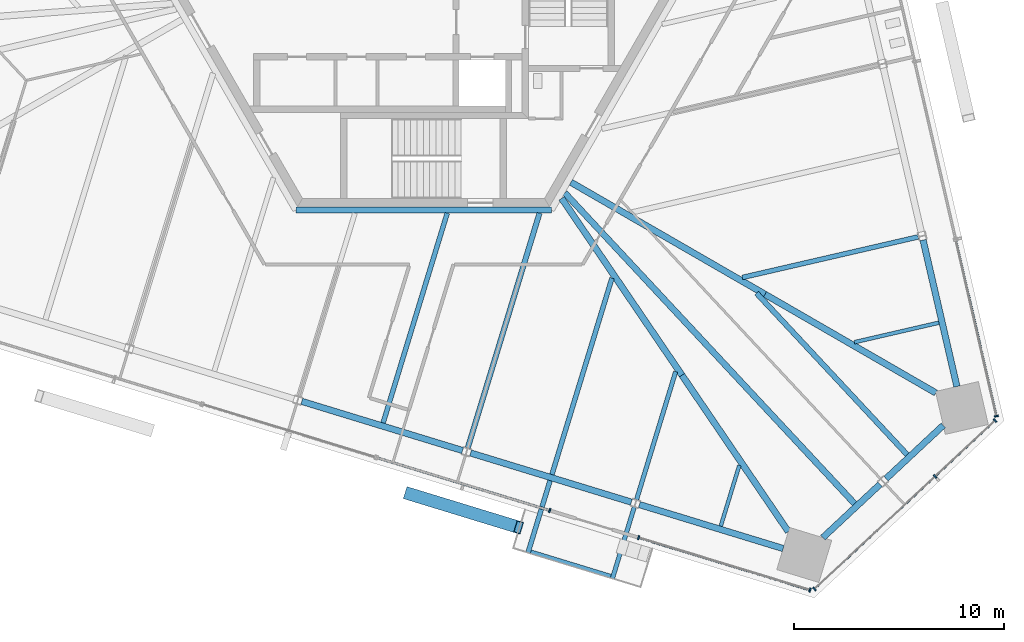
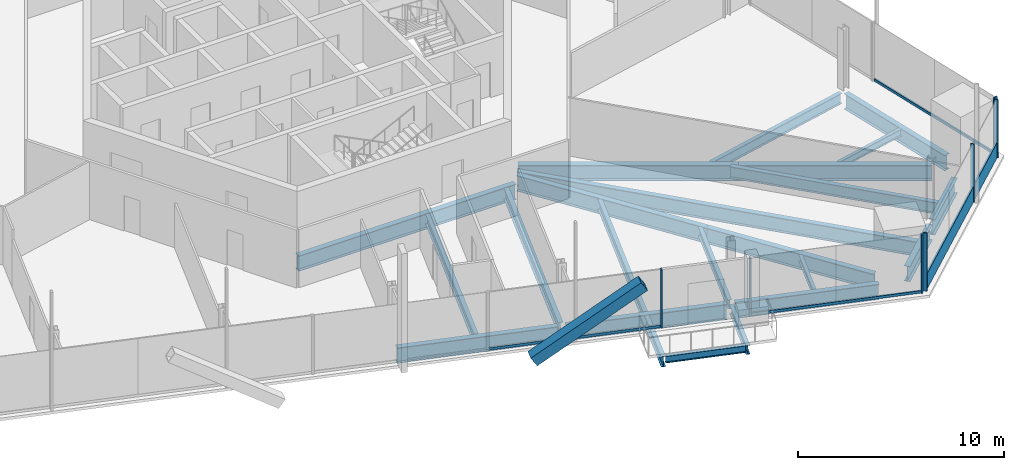
# One storey, part 5 of 21: 23 beams, 13 members, 4 elements without a shape of their own.
"""IFC4 building model written with IfcOpenShell, lengths in metres."""

from ifc_helpers import new_model, si_unit, direction, frame, origin, origin_2d, place, context, subcontext, project, spatial, rectangle, hollow_rectangle, i_section, extrude, source, transform, mapped, material, material_profile, profile_set, type_object, element, aggregate, save


model = new_model("IFC4")

# Units and contexts
model_context = context("Model", 3, precision=1e-05, world=origin(), true_north=direction((0.0, 1.0)))
body_context = subcontext(model_context, "Body", "Model", "MODEL_VIEW")
ifc_project = project(units=[si_unit("LENGTHUNIT", "METRE"), si_unit("AREAUNIT", "SQUARE_METRE"), si_unit("VOLUMEUNIT", "CUBIC_METRE"), si_unit("PLANEANGLEUNIT", "RADIAN"), si_unit("MASSUNIT", "GRAM", prefix="KILO")], contexts=[model_context])

# Site, building, storey
site_placement = place(None, origin())
site = spatial("IfcSite", under=ifc_project, at=site_placement, CompositionType="ELEMENT")
building_placement = place(site_placement, origin())
building = spatial("IfcBuilding", under=site, at=building_placement, Name="Triune Harvest Tower", CompositionType="ELEMENT")
storey_placement = place(building_placement, frame((0.0, 0.0, 119.89990234375)))
storey = spatial("IfcBuildingStorey", under=building, at=storey_placement, Name="L30", CompositionType="ELEMENT", Elevation=119.89990234375)

# Beams
ifc_material_1 = material(Name="Steel ASTM A992 Gr 50", Category="steel")
ifc_material_profile_1 = material_profile(ifc_material_1, i_section(OverallWidth=0.180908203125, OverallDepth=0.41650390625, WebThickness=0.010986328125, FlangeThickness=0.01806640625, at=origin_2d()), Name="W16x57")
ifc_profile_set_1 = profile_set([ifc_material_profile_1], Name="Steel ASTM A992 Gr 50")
beam_type_1 = type_object("IfcBeamType", Name="BE-1 balcony edge beam W16x57", PredefinedType="BEAM", material=ifc_profile_set_1)
beam_1_placement = place(storey_placement, frame((5.114501953125, -26.8330078125, -0.3681640625), z_axis=(0.956308308303, -0.29236008529, 0.0), x_axis=(0.29236008529, 0.956308308303, 0.0)))
element("IfcBeam", 1, at=beam_1_placement, inside=storey, type_object=beam_type_1, Name="Balcony edge beam B3-F5 L30.10", PredefinedType="BEAM", context=body_context, shape_type="SweptSolid", body=[
    extrude(i_section(OverallWidth=0.180908203125, OverallDepth=0.41650390625, WebThickness=0.010986328125, FlangeThickness=0.01806640625, at=origin_2d()), origin(), (0.0, 0.0, 1.0), 3.987548828125),
])
ifc_material_2 = material(Name="Steel ASTM A992 Gr 50", Category="steel")
ifc_material_profile_2 = material_profile(ifc_material_2, i_section(OverallWidth=0.3046875, OverallDepth=0.914306640625, WebThickness=0.0166015625, FlangeThickness=0.02587890625, at=origin_2d()), Name="W36x160")
ifc_profile_set_2 = profile_set([ifc_material_profile_2], Name="Steel ASTM A992 Gr 50")
beam_type_2 = type_object("IfcBeamType", Name="CG-1 Core ring girder W36x160", PredefinedType="BEAM", material=ifc_profile_set_2)
shared_shape_1 = source(origin(), body_context, "Body", "SweptSolid", [
    extrude(i_section(OverallWidth=0.3046875, OverallDepth=0.914306640625, WebThickness=0.0166015625, FlangeThickness=0.02587890625, at=origin_2d()), origin(), (0.0, 0.0, 1.0), 12.17578125),
])
beam_2_placement = place(storey_placement, frame((-6.087890625, -10.544677734375, -0.6171875), z_axis=(1.0, 0.0, 0.0), x_axis=(0.0, 1.0, 0.0)))
element("IfcBeam", 2, at=beam_2_placement, inside=storey, type_object=beam_type_2, Name="beam/L30/CG5", PredefinedType="BEAM", context=body_context, shape_type="MappedRepresentation", body=[
    mapped(shared_shape_1, transform((0.0, 0.0, 0.0), scale=1.0)),
])
ifc_material_3 = material(Name="Steel ASTM A992 Gr 50", Category="steel")
ifc_material_profile_3 = material_profile(ifc_material_3, i_section(OverallWidth=0.307373046875, OverallDepth=0.922119140625, WebThickness=0.018310546875, FlangeThickness=0.030029296875, at=origin_2d()), Name="W36x182")
ifc_profile_set_3 = profile_set([ifc_material_profile_3], Name="Steel ASTM A992 Gr 50")
beam_type_3 = type_object("IfcBeamType", Name="HG-2 Hip girder W36x182", PredefinedType="BEAM", material=ifc_profile_set_3)
shared_shape_2 = source(origin(), body_context, "Body", "SweptSolid", [
    extrude(i_section(OverallWidth=0.307373046875, OverallDepth=0.922119140625, WebThickness=0.018310546875, FlangeThickness=0.030029296875, at=origin_2d()), origin(), (0.0, 0.0, 1.0), 10.681640625),
])
beam_3_placement = place(storey_placement, frame((16.27587890625, -14.56640625, -0.620849609375), z_axis=(-0.866023441189, 0.500003399299, 0.0), x_axis=(-0.500003399299, -0.866023441189, 0.0)))
element("IfcBeam", 3, at=beam_3_placement, inside=storey, type_object=beam_type_3, Name="beam/L30/HG2", PredefinedType="BEAM", context=body_context, shape_type="MappedRepresentation", body=[
    mapped(shared_shape_2, transform((0.0, 0.0, 0.0), scale=1.0)),
])
shared_shape_3 = source(origin(), body_context, "Body", "SweptSolid", [
    extrude(i_section(OverallWidth=0.307373046875, OverallDepth=0.922119140625, WebThickness=0.018310546875, FlangeThickness=0.030029296875, at=origin_2d()), origin(), (0.0, 0.0, 1.0), 10.194091796875),
])
beam_4_placement = place(storey_placement, frame((12.31640625, -18.4208984375, -0.620849609375), z_axis=(-0.562397141719, 0.826867253545, 0.0), x_axis=(-0.826867253545, -0.562397141719, 0.0)))
element("IfcBeam", 4, at=beam_4_placement, inside=storey, type_object=beam_type_3, Name="beam/L30/HG8", PredefinedType="BEAM", context=body_context, shape_type="MappedRepresentation", body=[
    mapped(shared_shape_3, transform((0.0, 0.0, 0.0), scale=1.0)),
])
ifc_material_4 = material(Name="Steel ASTM A992 Gr 50", Category="steel")
ifc_material_profile_4 = material_profile(ifc_material_4, i_section(OverallWidth=0.3046875, OverallDepth=0.914306640625, WebThickness=0.0166015625, FlangeThickness=0.02587890625, at=origin_2d()), Name="W36x160")
ifc_profile_set_4 = profile_set([ifc_material_profile_4], Name="Steel ASTM A992 Gr 50")
beam_type_4 = type_object("IfcBeamType", Name="SB-1 Spandrel beam W36x160", PredefinedType="SPANDREL", material=ifc_profile_set_4)
shared_shape_4 = source(origin(), body_context, "Body", "SweptSolid", [
    extrude(i_section(OverallWidth=0.3046875, OverallDepth=0.914306640625, WebThickness=0.0166015625, FlangeThickness=0.02587890625, at=origin_2d()), origin(), (0.0, 0.0, 1.0), 7.166259765625),
])
beam_5_placement = place(storey_placement, frame((25.42236328125, -18.96044921875, -0.6171875), z_axis=(-0.224949077026, 0.974370521283, 0.0), x_axis=(-0.974370521283, -0.224949077026, 0.0)))
element("IfcBeam", 5, at=beam_5_placement, inside=storey, type_object=beam_type_4, Name="beam/L30/SB1", PredefinedType="SPANDREL", context=body_context, shape_type="MappedRepresentation", body=[
    mapped(shared_shape_4, transform((0.0, 0.0, 0.0), scale=1.0)),
])
shared_shape_5 = source(origin(), body_context, "Body", "SweptSolid", [
    extrude(i_section(OverallWidth=0.3046875, OverallDepth=0.914306640625, WebThickness=0.0166015625, FlangeThickness=0.02587890625, at=origin_2d()), origin(), (0.0, 0.0, 1.0), 8.018310546875),
])
beam_6_placement = place(storey_placement, frame((-5.805908203125, -19.66748046875, -0.6171875), z_axis=(0.956308069579, -0.292360866152, 0.0), x_axis=(0.292360866152, 0.956308069579, 0.0)))
element("IfcBeam", 6, at=beam_6_placement, inside=storey, type_object=beam_type_4, Name="beam/L30/SB20", PredefinedType="SPANDREL", context=body_context, shape_type="MappedRepresentation", body=[
    mapped(shared_shape_5, transform((0.0, 0.0, 0.0), scale=1.0)),
])
shared_shape_6 = source(origin(), body_context, "Body", "SweptSolid", [
    extrude(i_section(OverallWidth=0.3046875, OverallDepth=0.914306640625, WebThickness=0.0166015625, FlangeThickness=0.02587890625, at=origin_2d()), origin(), (0.0, 0.0, 1.0), 8.01806640625),
])
beam_7_placement = place(storey_placement, frame((2.240966796875, -22.127685546875, -0.6171875), z_axis=(0.956305466934, -0.292369379231, 0.0), x_axis=(0.292369379231, 0.956305466934, 0.0)))
element("IfcBeam", 7, at=beam_7_placement, inside=storey, type_object=beam_type_4, Name="beam/L30/SB21", PredefinedType="SPANDREL", context=body_context, shape_type="MappedRepresentation", body=[
    mapped(shared_shape_6, transform((0.0, 0.0, 0.0), scale=1.0)),
])
shared_shape_7 = source(origin(), body_context, "Body", "SweptSolid", [
    extrude(i_section(OverallWidth=0.3046875, OverallDepth=0.914306640625, WebThickness=0.0166015625, FlangeThickness=0.02587890625, at=origin_2d()), origin(), (0.0, 0.0, 1.0), 7.16650390625),
])
beam_8_placement = place(storey_placement, frame((10.287841796875, -24.587646484375, -0.6171875), z_axis=(0.956296811344, -0.292397689137, 0.0), x_axis=(0.292397689137, 0.956296811344, 0.0)))
element("IfcBeam", 8, at=beam_8_placement, inside=storey, type_object=beam_type_4, Name="beam/L30/SB22", PredefinedType="SPANDREL", context=body_context, shape_type="MappedRepresentation", body=[
    mapped(shared_shape_7, transform((0.0, 0.0, 0.0), scale=1.0)),
])
shared_shape_8 = source(origin(), body_context, "Body", "SweptSolid", [
    extrude(i_section(OverallWidth=0.3046875, OverallDepth=0.914306640625, WebThickness=0.0166015625, FlangeThickness=0.02587890625, at=origin_2d()), origin(), (0.0, 0.0, 1.0), 3.72607421875),
])
beam_9_placement = place(storey_placement, frame((19.03173828125, -26.1630859375, -0.6171875), z_axis=(0.731344988612, 0.682007703499, 0.0), x_axis=(-0.682007703499, 0.731344988612, 0.0)))
element("IfcBeam", 9, at=beam_9_placement, inside=storey, type_object=beam_type_4, Name="beam/L30/SB23", PredefinedType="SPANDREL", context=body_context, shape_type="MappedRepresentation", body=[
    mapped(shared_shape_8, transform((0.0, 0.0, 0.0), scale=1.0)),
])
shared_shape_9 = source(origin(), body_context, "Body", "SweptSolid", [
    extrude(i_section(OverallWidth=0.3046875, OverallDepth=0.914306640625, WebThickness=0.0166015625, FlangeThickness=0.02587890625, at=origin_2d()), origin(), (0.0, 0.0, 1.0), 3.726318359375),
])
beam_10_placement = place(storey_placement, frame((22.046630859375, -23.351806640625, -0.6171875), z_axis=(0.731375462482, 0.681975023647, 0.0), x_axis=(-0.681975023647, 0.731375462482, 0.0)))
element("IfcBeam", 10, at=beam_10_placement, inside=storey, type_object=beam_type_4, Name="beam/L30/SB24", PredefinedType="SPANDREL", context=body_context, shape_type="MappedRepresentation", body=[
    mapped(shared_shape_9, transform((0.0, 0.0, 0.0), scale=1.0)),
])
shared_shape_10 = source(origin(), body_context, "Body", "SweptSolid", [
    extrude(i_section(OverallWidth=0.307373046875, OverallDepth=0.922119140625, WebThickness=0.018310546875, FlangeThickness=0.030029296875, at=origin_2d()), origin(), (0.0, 0.0, 1.0), 9.3984375),
])
beam_11_placement = place(storey_placement, frame((24.415283203125, -19.265625, -0.620849609375), z_axis=(-0.866028560268, 0.49999453277, 0.0), x_axis=(-0.49999453277, -0.866028560268, 0.0)))
element("IfcBeam", 11, at=beam_11_placement, inside=storey, type_object=beam_type_3, Name="beam/L30/HG1", PredefinedType="BEAM", context=body_context, shape_type="MappedRepresentation", body=[
    mapped(shared_shape_10, transform((0.0, 0.0, 0.0), scale=1.0)),
])
shared_shape_11 = source(origin(), body_context, "Body", "SweptSolid", [
    extrude(i_section(OverallWidth=0.307373046875, OverallDepth=0.922119140625, WebThickness=0.018310546875, FlangeThickness=0.030029296875, at=origin_2d()), origin(), (0.0, 0.0, 1.0), 9.0166015625),
])
beam_12_placement = place(storey_placement, frame((17.3876953125, -25.876220703125, -0.620849609375), z_axis=(-0.562436658991, 0.826840374331, 0.0), x_axis=(-0.826840374331, -0.562436658991, 0.0)))
element("IfcBeam", 12, at=beam_12_placement, inside=storey, type_object=beam_type_3, Name="beam/L30/HG7", PredefinedType="BEAM", context=body_context, shape_type="MappedRepresentation", body=[
    mapped(shared_shape_11, transform((0.0, 0.0, 0.0), scale=1.0)),
])
ifc_material_5 = material(Name="Steel ASTM A992 Gr 50", Category="steel")
ifc_material_profile_5 = material_profile(ifc_material_5, i_section(OverallWidth=0.180908203125, OverallDepth=0.41650390625, WebThickness=0.010986328125, FlangeThickness=0.01806640625, at=origin_2d()), Name="W16x57")
ifc_profile_set_5 = profile_set([ifc_material_profile_5], Name="Steel ASTM A992 Gr 50")
beam_type_5 = type_object("IfcBeamType", Name="JT-1 Floor joist W16x57", PredefinedType="JOIST", material=ifc_profile_set_5)
shared_shape_12 = source(origin(), body_context, "Body", "SweptSolid", [
    extrude(i_section(OverallWidth=0.180908203125, OverallDepth=0.41650390625, WebThickness=0.010986328125, FlangeThickness=0.01806640625, at=origin_2d()), origin(), (0.0, 0.0, 1.0), 4.1337890625),
])
beam_13_placement = place(storey_placement, frame((24.563720703125, -15.91845703125, -0.3681640625), z_axis=(-0.974368296684, -0.224958712697, 0.0), x_axis=(0.224958712697, -0.974368296684, 0.0)))
element("IfcBeam", 13, at=beam_13_placement, inside=storey, type_object=beam_type_5, Name="beam/L30/JT1", PredefinedType="JOIST", context=body_context, shape_type="MappedRepresentation", body=[
    mapped(shared_shape_12, transform((0.0, 0.0, 0.0), scale=1.0)),
])
ifc_material_6 = material(Name="Steel ASTM A992 Gr 50", Category="steel")
ifc_material_profile_6 = material_profile(ifc_material_6, i_section(OverallWidth=0.22900390625, OverallDepth=0.612060546875, WebThickness=0.011962890625, FlangeThickness=0.01953125, at=origin_2d()), Name="W24x84")
ifc_profile_set_6 = profile_set([ifc_material_profile_6], Name="Steel ASTM A992 Gr 50")
beam_type_6 = type_object("IfcBeamType", Name="JT-3 Floor joist W24x84", PredefinedType="JOIST", material=ifc_profile_set_6)
shared_shape_13 = source(origin(), body_context, "Body", "SweptSolid", [
    extrude(i_section(OverallWidth=0.22900390625, OverallDepth=0.612060546875, WebThickness=0.011962890625, FlangeThickness=0.01953125, at=origin_2d()), origin(), (0.0, 0.0, 1.0), 8.607421875),
])
beam_14_placement = place(storey_placement, frame((23.580078125, -11.82763671875, -0.466064453125), z_axis=(-0.97436872252, -0.224956868255, 0.0), x_axis=(0.224956868255, -0.97436872252, 0.0)))
element("IfcBeam", 14, at=beam_14_placement, inside=storey, type_object=beam_type_6, Name="beam/L30/JT2", PredefinedType="JOIST", context=body_context, shape_type="MappedRepresentation", body=[
    mapped(shared_shape_13, transform((0.0, 0.0, 0.0), scale=1.0)),
])
shared_shape_14 = source(origin(), body_context, "Body", "SweptSolid", [
    extrude(i_section(OverallWidth=0.22900390625, OverallDepth=0.612060546875, WebThickness=0.011962890625, FlangeThickness=0.01953125, at=origin_2d()), origin(), (0.0, 0.0, 1.0), 10.45361328125),
])
beam_15_placement = place(storey_placement, frame((-1.92724609375, -20.69384765625, -0.466064453125), z_axis=(0.29235559587, 0.956309680785, 0.0), x_axis=(-0.956309680785, 0.29235559587, 0.0)))
element("IfcBeam", 15, at=beam_15_placement, inside=storey, type_object=beam_type_6, Name="beam/L30/JT33", PredefinedType="JOIST", context=body_context, shape_type="MappedRepresentation", body=[
    mapped(shared_shape_14, transform((0.0, 0.0, 0.0), scale=1.0)),
])
shared_shape_15 = source(origin(), body_context, "Body", "SweptSolid", [
    extrude(i_section(OverallWidth=0.22900390625, OverallDepth=0.612060546875, WebThickness=0.011962890625, FlangeThickness=0.01953125, at=origin_2d()), origin(), (0.0, 0.0, 1.0), 9.790283203125),
])
beam_16_placement = place(storey_placement, frame((6.119384765625, -23.154052734375, -0.466064453125), z_axis=(0.292383884863, 0.956301032036, 0.0), x_axis=(-0.956301032036, 0.292383884863, 0.0)))
element("IfcBeam", 16, at=beam_16_placement, inside=storey, type_object=beam_type_6, Name="beam/L30/JT35", PredefinedType="JOIST", context=body_context, shape_type="MappedRepresentation", body=[
    mapped(shared_shape_15, transform((0.0, 0.0, 0.0), scale=1.0)),
])
ifc_material_7 = material(Name="Steel ASTM A992 Gr 50", Category="steel")
ifc_material_profile_7 = material_profile(ifc_material_7, i_section(OverallWidth=0.253662109375, OverallDepth=0.683349609375, WebThickness=0.012451171875, FlangeThickness=0.01904296875, at=origin_2d()), Name="W27x94")
ifc_profile_set_7 = profile_set([ifc_material_profile_7], Name="Steel ASTM A992 Gr 50")
beam_type_7 = type_object("IfcBeamType", Name="JT-4 Floor joist W27x94", PredefinedType="JOIST", material=ifc_profile_set_7)
shared_shape_16 = source(origin(), body_context, "Body", "SweptSolid", [
    extrude(i_section(OverallWidth=0.253662109375, OverallDepth=0.683349609375, WebThickness=0.012451171875, FlangeThickness=0.01904296875, at=origin_2d()), origin(), (0.0, 0.0, 1.0), 11.70166015625),
])
beam_17_placement = place(storey_placement, frame((2.107177734375, -21.887451171875, -0.50146484375), z_axis=(0.292381788251, 0.956301673061, 0.0), x_axis=(-0.956301673061, 0.292381788251, 0.0)))
element("IfcBeam", 17, at=beam_17_placement, inside=storey, type_object=beam_type_7, Name="beam/L30/JT34", PredefinedType="JOIST", context=body_context, shape_type="MappedRepresentation", body=[
    mapped(shared_shape_16, transform((0.0, 0.0, 0.0), scale=1.0)),
])
ifc_material_8 = material(Name="Steel ASTM A992 Gr 50", Category="steel")
ifc_material_profile_8 = material_profile(ifc_material_8, i_section(OverallWidth=0.2099609375, OverallDepth=0.535888671875, WebThickness=0.010986328125, FlangeThickness=0.017333984375, at=origin_2d()), Name="W21x68")
ifc_profile_set_8 = profile_set([ifc_material_profile_8], Name="Steel ASTM A992 Gr 50")
beam_type_8 = type_object("IfcBeamType", Name="JT-2 Floor joist W21x68", PredefinedType="JOIST", material=ifc_profile_set_8)
shared_shape_17 = source(origin(), body_context, "Body", "SweptSolid", [
    extrude(i_section(OverallWidth=0.2099609375, OverallDepth=0.535888671875, WebThickness=0.010986328125, FlangeThickness=0.017333984375, at=origin_2d()), origin(), (0.0, 0.0, 1.0), 6.3720703125),
])
beam_18_placement = place(storey_placement, frame((10.154052734375, -24.34765625, -0.427978515625), z_axis=(0.292370379947, 0.956305160986, 0.0), x_axis=(-0.956305160986, 0.292370379947, 0.0)))
element("IfcBeam", 18, at=beam_18_placement, inside=storey, type_object=beam_type_8, Name="beam/L30/JT36", PredefinedType="JOIST", context=body_context, shape_type="MappedRepresentation", body=[
    mapped(shared_shape_17, transform((0.0, 0.0, 0.0), scale=1.0)),
])
ifc_material_9 = material(Name="Steel ASTM A992 Gr 50", Category="steel")
ifc_material_profile_9 = material_profile(ifc_material_9, i_section(OverallWidth=0.2919921875, OverallDepth=0.8583984375, WebThickness=0.01708984375, FlangeThickness=0.031005859375, at=origin_2d()), Name="W33x169")
ifc_profile_set_9 = profile_set([ifc_material_profile_9], Name="Steel ASTM A992 Gr 50")
beam_type_9 = type_object("IfcBeamType", Name="JT-7 Floor joist W33x169", PredefinedType="JOIST", material=ifc_profile_set_9)
shared_shape_18 = source(origin(), body_context, "Body", "SweptSolid", [
    extrude(i_section(OverallWidth=0.2919921875, OverallDepth=0.8583984375, WebThickness=0.01708984375, FlangeThickness=0.031005859375, at=origin_2d()), origin(), (0.0, 0.0, 1.0), 20.25244140625),
])
beam_19_placement = place(storey_placement, frame((20.545654296875, -24.54296875, -0.589111328125), z_axis=(-0.681993474081, 0.73135825784, 0.0), x_axis=(-0.73135825784, -0.681993474081, 0.0)))
element("IfcBeam", 19, at=beam_19_placement, inside=storey, type_object=beam_type_9, Name="beam/L30/JT38", PredefinedType="JOIST", context=body_context, shape_type="MappedRepresentation", body=[
    mapped(shared_shape_18, transform((0.0, 0.0, 0.0), scale=1.0)),
])
shared_shape_19 = source(origin(), body_context, "Body", "SweptSolid", [
    extrude(i_section(OverallWidth=0.253662109375, OverallDepth=0.683349609375, WebThickness=0.012451171875, FlangeThickness=0.01904296875, at=origin_2d()), origin(), (0.0, 0.0, 1.0), 10.52294921875),
])
beam_20_placement = place(storey_placement, frame((23.05029296875, -22.20751953125, -0.50146484375), z_axis=(-0.682013989315, 0.731339126793, 0.0), x_axis=(-0.731339126793, -0.682013989315, 0.0)))
element("IfcBeam", 20, at=beam_20_placement, inside=storey, type_object=beam_type_7, Name="beam/L30/JT39", PredefinedType="JOIST", context=body_context, shape_type="MappedRepresentation", body=[
    mapped(shared_shape_19, transform((0.0, 0.0, 0.0), scale=1.0)),
])
shared_shape_20 = source(origin(), body_context, "Body", "SweptSolid", [
    extrude(i_section(OverallWidth=0.180908203125, OverallDepth=0.41650390625, WebThickness=0.010986328125, FlangeThickness=0.01806640625, at=origin_2d()), origin(), (0.0, 0.0, 1.0), 3.030029296875),
])
beam_21_placement = place(storey_placement, frame((14.166259765625, -25.614013671875, -0.3681640625), z_axis=(0.2923925234, 0.956298390807, 0.0), x_axis=(-0.956298390807, 0.2923925234, 0.0)))
element("IfcBeam", 21, at=beam_21_placement, inside=storey, type_object=beam_type_5, Name="beam/L30/JT37", PredefinedType="JOIST", context=body_context, shape_type="MappedRepresentation", body=[
    mapped(shared_shape_20, transform((0.0, 0.0, 0.0), scale=1.0)),
])

# Member
ifc_material_10 = material(Name="Steel ASTM A572 Gr 50", Category="steel")
ifc_material_profile_10 = material_profile(ifc_material_10, hollow_rectangle(XDim=0.60009765625, YDim=0.60009765625, WallThickness=0.0400390625, at=origin_2d()), Name="Box 600x600x40")
ifc_profile_set_10 = profile_set([ifc_material_profile_10], Name="Steel ASTM A572 Gr 50")
member_type_1 = type_object("IfcMemberType", Name="BR-2 Brace Box 600x600x40", PredefinedType="BRACE", material=ifc_profile_set_10)
shared_shape_21 = source(origin(), body_context, "Body", "SweptSolid", [
    extrude(hollow_rectangle(XDim=0.60009765625, YDim=0.60009765625, WallThickness=0.0400390625, at=origin_2d()), origin(), (0.0, 0.0, 1.0), 6.56640625),
])
member_1_placement = place(storey_placement, frame((-0.71875, -24.065673828125, 0.0), z_axis=(0.799761781192, -0.244501788615, 0.548269977938), x_axis=(0.292360850618, 0.956308074329, 0.0)))
element("IfcMember", 22, at=member_1_placement, inside=storey, type_object=member_type_1, Name="brace/B3-F5/d1/7", PredefinedType="BRACE", context=body_context, shape_type="MappedRepresentation", body=[
    mapped(shared_shape_21, transform((0.0, 0.0, 0.0), scale=1.0)),
])

# Beam
ifc_material_11 = material(Name="Steel ASTM A992 Gr 50", Category="steel")
ifc_material_profile_11 = material_profile(ifc_material_11, i_section(OverallWidth=0.22900390625, OverallDepth=0.612060546875, WebThickness=0.011962890625, FlangeThickness=0.01953125, at=origin_2d()), Name="W24x84")
ifc_profile_set_11 = profile_set([ifc_material_profile_11], Name="Steel ASTM A992 Gr 50")
beam_type_10 = type_object("IfcBeamType", Name="BJ-3 Balcony cantilever joist W24x84", PredefinedType="JOIST", material=ifc_profile_set_11)
shared_shape_22 = source(origin(), body_context, "Body", "SweptSolid", [
    extrude(i_section(OverallWidth=0.22900390625, OverallDepth=0.612060546875, WebThickness=0.011962890625, FlangeThickness=0.01953125, at=origin_2d()), origin(), (0.0, 0.0, 1.0), 3.59765625),
])
beam_22_placement = place(storey_placement, frame((6.030517578125, -23.445556640625, -0.466064453125), z_axis=(-0.292411623657, -0.956292550609, 0.0), x_axis=(0.956292550609, -0.292411623657, 0.0)))
element("IfcBeam", 23, at=beam_22_placement, inside=storey, type_object=beam_type_10, Name="Balcony cantilever joist B3-F5 L30.10b", PredefinedType="JOIST", context=body_context, shape_type="MappedRepresentation", body=[
    mapped(shared_shape_22, transform((0.0, 0.0, 0.0), scale=1.0)),
])

# Curtain wall, members
ifc_material_12 = material(Name="Aluminium bronze anodised", Category="aluminium")
curtain_wall_type_1 = type_object("IfcCurtainWallType", Name="CW-1 Tower stick curtain wall", PredefinedType="NOTDEFINED", material=ifc_material_12)
curtain_wall_1_placement = place(storey_placement, origin())
curtain_wall_1 = element("IfcCurtainWall", 24, at=curtain_wall_1_placement, inside=storey, type_object=curtain_wall_type_1, Name="CW-1 B3-F6 L30 run 1")
ifc_material_13 = material(Name="Aluminium bronze anodised", Category="aluminium")
ifc_material_profile_12 = material_profile(ifc_material_13, rectangle(XDim=0.199951171875, YDim=0.074951171875, at=origin_2d()), Name="MU-1 mullion 75 x 200")
ifc_profile_set_12 = profile_set([ifc_material_profile_12], Name="Aluminium bronze anodised")
member_type_2 = type_object("IfcMemberType", Name="MU-1 mullion 75 x 200", PredefinedType="MULLION", material=ifc_profile_set_12)
shared_shape_23 = source(origin(), body_context, "Body", "SweptSolid", [
    extrude(rectangle(XDim=0.199951171875, YDim=0.074951171875, at=origin_2d()), origin(), (0.0, 0.0, 1.0), 3.440185546875),
])
member_2_placement = place(storey_placement, frame((18.6328125, -28.61181640625, 0.0), z_axis=(0.0, 0.0, 1.0), x_axis=(-0.682002387287, 0.731349946151, 0.0)))
member_2 = element("IfcMember", 25, at=member_2_placement, type_object=member_type_2, Name="CW-1 mullion B3-F6 1.1", PredefinedType="MULLION", context=body_context, shape_type="MappedRepresentation", body=[
    mapped(shared_shape_23, transform((0.0, 0.0, 0.0), scale=1.0)),
])
member_3_placement = place(storey_placement, frame((24.381591796875, -23.2509765625, 0.0), z_axis=(0.0, 0.0, 1.0), x_axis=(-0.682002387287, 0.731349946151, 0.0)))
member_3 = element("IfcMember", 26, at=member_3_placement, type_object=member_type_2, Name="CW-1 mullion B3-F6 1.3", PredefinedType="MULLION", context=body_context, shape_type="MappedRepresentation", body=[
    mapped(shared_shape_23, transform((0.0, 0.0, 0.0), scale=1.0)),
])
member_4_placement = place(storey_placement, frame((27.2421875, -20.583251953125, 0.0), z_axis=(0.0, 0.0, 1.0), x_axis=(-0.682002387287, 0.731349946151, 0.0)))
member_4 = element("IfcMember", 27, at=member_4_placement, type_object=member_type_2, Name="CW-1 mullion B3-F6 1.4", PredefinedType="MULLION", context=body_context, shape_type="MappedRepresentation", body=[
    mapped(shared_shape_23, transform((0.0, 0.0, 0.0), scale=1.0)),
])

# Curtain wall, member
ifc_material_14 = material(Name="Aluminium bronze anodised", Category="aluminium")
curtain_wall_type_2 = type_object("IfcCurtainWallType", Name="CW-6 Balcony window wall", PredefinedType="NOTDEFINED", material=ifc_material_14)
curtain_wall_2_placement = place(storey_placement, origin())
curtain_wall_2 = element("IfcCurtainWall", 28, at=curtain_wall_2_placement, inside=storey, type_object=curtain_wall_type_2, Name="CW-6 B3-F1 L30 run 1")
ifc_material_15 = material(Name="Aluminium bronze anodised", Category="aluminium")
ifc_material_profile_13 = material_profile(ifc_material_15, rectangle(XDim=0.199951171875, YDim=0.074951171875, at=origin_2d()), Name="MU-6 mullion 75 x 200")
ifc_profile_set_13 = profile_set([ifc_material_profile_13], Name="Aluminium bronze anodised")
member_type_3 = type_object("IfcMemberType", Name="MU-6 mullion 75 x 200", PredefinedType="MULLION", material=ifc_profile_set_13)
shared_shape_24 = source(origin(), body_context, "Body", "SweptSolid", [
    extrude(rectangle(XDim=0.199951171875, YDim=0.074951171875, at=origin_2d()), origin(), (0.0, 0.0, 1.0), 3.440185546875),
])
member_5_placement = place(storey_placement, frame((27.306884765625, -20.3720703125, 0.0), z_axis=(0.0, 0.0, 1.0), x_axis=(-0.974371039051, -0.224946834294, 0.0)))
member_5 = element("IfcMember", 29, at=member_5_placement, type_object=member_type_3, Name="CW-6 mullion B3-F1 1.1", PredefinedType="MULLION", context=body_context, shape_type="MappedRepresentation", body=[
    mapped(shared_shape_24, transform((0.0, 0.0, 0.0), scale=1.0)),
])

ifc_material_16 = material(Name="Aluminium bronze anodised", Category="aluminium")
curtain_wall_type_3 = type_object("IfcCurtainWallType", Name="CW-10 Balcony window wall with insulated spandrel infill", PredefinedType="NOTDEFINED", material=ifc_material_16)
curtain_wall_3_placement = place(storey_placement, origin())
curtain_wall_3 = element("IfcCurtainWall", 30, at=curtain_wall_3_placement, inside=storey, type_object=curtain_wall_type_3, Name="CW-10 B3-F5 L30 run 3001")
member_6_placement = place(storey_placement, frame((6.014404296875, -24.869384765625, 0.0), z_axis=(0.0, 0.0, 1.0), x_axis=(0.292373465621, 0.956304217601, 0.0)))
member_6 = element("IfcMember", 31, at=member_6_placement, type_object=member_type_3, Name="CW-10 mullion B3-F5 3001.3", PredefinedType="MULLION", context=body_context, shape_type="MappedRepresentation", body=[
    mapped(shared_shape_24, transform((0.0, 0.0, 0.0), scale=1.0)),
])

# Curtain wall, members
curtain_wall_4_placement = place(storey_placement, origin())
curtain_wall_4 = element("IfcCurtainWall", 32, at=curtain_wall_4_placement, inside=storey, type_object=curtain_wall_type_2, Name="CW-6 B3-F5 L30 run 2")
member_7_placement = place(storey_placement, frame((10.249267578125, -26.1640625, 0.0), z_axis=(0.0, 0.0, 1.0), x_axis=(0.292373426164, 0.956304229664, 0.0)))
member_7 = element("IfcMember", 33, at=member_7_placement, type_object=member_type_3, Name="CW-6 mullion B3-F5 2.1", PredefinedType="MULLION", context=body_context, shape_type="MappedRepresentation", body=[
    mapped(shared_shape_24, transform((0.0, 0.0, 0.0), scale=1.0)),
])
member_8_placement = place(storey_placement, frame((18.417724609375, -28.661376953125, 0.0), z_axis=(0.0, 0.0, 1.0), x_axis=(0.292373426164, 0.956304229664, 0.0)))
member_8 = element("IfcMember", 34, at=member_8_placement, type_object=member_type_3, Name="CW-6 mullion B3-F5 2.3", PredefinedType="MULLION", context=body_context, shape_type="MappedRepresentation", body=[
    mapped(shared_shape_24, transform((0.0, 0.0, 0.0), scale=1.0)),
])

# Beam
ifc_material_17 = material(Name="Steel ASTM A992 Gr 50", Category="steel")
ifc_material_profile_14 = material_profile(ifc_material_17, i_section(OverallWidth=0.2099609375, OverallDepth=0.535888671875, WebThickness=0.010986328125, FlangeThickness=0.017333984375, at=origin_2d()), Name="W21x68")
ifc_profile_set_14 = profile_set([ifc_material_profile_14], Name="Steel ASTM A992 Gr 50")
beam_type_11 = type_object("IfcBeamType", Name="BJ-2 Balcony cantilever joist W21x68", PredefinedType="JOIST", material=ifc_profile_set_14)
shared_shape_25 = source(origin(), body_context, "Body", "SweptSolid", [
    extrude(i_section(OverallWidth=0.2099609375, OverallDepth=0.535888671875, WebThickness=0.010986328125, FlangeThickness=0.017333984375, at=origin_2d()), origin(), (0.0, 0.0, 1.0), 3.59765625),
])
beam_23_placement = place(storey_placement, frame((10.0537109375, -24.675537109375, -0.427978515625), z_axis=(-0.292411623657, -0.956292550609, 0.0), x_axis=(0.956292550609, -0.292411623657, 0.0)))
element("IfcBeam", 35, at=beam_23_placement, inside=storey, type_object=beam_type_11, Name="Balcony cantilever joist B3-F5 L30.10a", PredefinedType="JOIST", context=body_context, shape_type="MappedRepresentation", body=[
    mapped(shared_shape_25, transform((0.0, 0.0, 0.0), scale=1.0)),
])

# Member
ifc_material_18 = material(Name="Aluminium bronze anodised", Category="aluminium")
ifc_material_profile_15 = material_profile(ifc_material_18, rectangle(XDim=0.090087890625, YDim=0.89990234375, at=origin_2d()), Name="TR-1 transom 90 x 900")
ifc_profile_set_15 = profile_set([ifc_material_profile_15], Name="Aluminium bronze anodised")
member_type_4 = type_object("IfcMemberType", Name="TR-1 transom 90 x 900", PredefinedType="USERDEFINED", material=ifc_profile_set_15)
shared_shape_26 = source(origin(), body_context, "Body", "SweptSolid", [
    extrude(rectangle(XDim=0.090087890625, YDim=0.89990234375, at=origin_2d()), origin(), (0.0, 0.0, 1.0), 7.78564453125),
])
member_9_placement = place(storey_placement, frame((18.66015625, -28.586181640625, 0.4501953125), z_axis=(0.731354473546, 0.681997532271, 0.0), x_axis=(-0.681997532271, 0.731354473546, 0.0)))
member_9 = element("IfcMember", 36, at=member_9_placement, type_object=member_type_4, Name="CW-1 transom B3-F6 1.1", ObjectType="TRANSOM", PredefinedType="USERDEFINED", context=body_context, shape_type="MappedRepresentation", body=[
    mapped(shared_shape_26, transform((0.0, 0.0, 0.0), scale=1.0)),
])

shared_shape_27 = source(origin(), body_context, "Body", "SweptSolid", [
    extrude(rectangle(XDim=0.090087890625, YDim=0.89990234375, at=origin_2d()), origin(), (0.0, 0.0, 1.0), 3.83642578125),
])
member_10_placement = place(storey_placement, frame((24.408935546875, -23.225341796875, 0.4501953125), z_axis=(0.73136626704, 0.681984885049, 0.0), x_axis=(-0.681984885049, 0.73136626704, 0.0)))
member_10 = element("IfcMember", 37, at=member_10_placement, type_object=member_type_4, Name="CW-1 transom B3-F6 1.2", ObjectType="TRANSOM", PredefinedType="USERDEFINED", context=body_context, shape_type="MappedRepresentation", body=[
    mapped(shared_shape_27, transform((0.0, 0.0, 0.0), scale=1.0)),
])

aggregate(curtain_wall_1, [member_2, member_3, member_4, member_9, member_10])

ifc_material_19 = material(Name="Aluminium bronze anodised", Category="aluminium")
ifc_material_profile_16 = material_profile(ifc_material_19, rectangle(XDim=0.090087890625, YDim=0.14990234375, at=origin_2d()), Name="TR-6 transom 90 x 150")
ifc_profile_set_16 = profile_set([ifc_material_profile_16], Name="Aluminium bronze anodised")
member_type_5 = type_object("IfcMemberType", Name="TR-6 transom 90 x 150", PredefinedType="USERDEFINED", material=ifc_profile_set_16)
shared_shape_28 = source(origin(), body_context, "Body", "SweptSolid", [
    extrude(rectangle(XDim=0.090087890625, YDim=0.14990234375, at=origin_2d()), origin(), (0.0, 0.0, 1.0), 8.53662109375),
])
member_11_placement = place(storey_placement, frame((27.29833984375, -20.33544921875, 0.0751953125), z_axis=(-0.224932610731, 0.974374322645, 0.0), x_axis=(-0.974374322645, -0.224932610731, 0.0)))
member_11 = element("IfcMember", 38, at=member_11_placement, type_object=member_type_5, Name="CW-6 transom B3-F1 1.1", ObjectType="TRANSOM", PredefinedType="USERDEFINED", context=body_context, shape_type="MappedRepresentation", body=[
    mapped(shared_shape_28, transform((0.0, 0.0, 0.0), scale=1.0)),
])

aggregate(curtain_wall_2, [member_5, member_11])

shared_shape_29 = source(origin(), body_context, "Body", "SweptSolid", [
    extrude(rectangle(XDim=0.090087890625, YDim=0.14990234375, at=origin_2d()), origin(), (0.0, 0.0, 1.0), 8.536865234375),
])
member_12_placement = place(storey_placement, frame((-2.185302734375, -22.362548828125, 0.0751953125), z_axis=(0.956307380689, -0.292363119495, 0.0), x_axis=(0.292363119495, 0.956307380689, 0.0)))
member_12 = element("IfcMember", 39, at=member_12_placement, type_object=member_type_5, Name="CW-10 transom B3-F5 3001.1", ObjectType="TRANSOM", PredefinedType="USERDEFINED", context=body_context, shape_type="MappedRepresentation", body=[
    mapped(shared_shape_29, transform((0.0, 0.0, 0.0), scale=1.0)),
])

aggregate(curtain_wall_3, [member_6, member_12])

shared_shape_30 = source(origin(), body_context, "Body", "SweptSolid", [
    extrude(rectangle(XDim=0.090087890625, YDim=0.14990234375, at=origin_2d()), origin(), (0.0, 0.0, 1.0), 8.466552734375),
])
member_13_placement = place(storey_placement, frame((10.28515625, -26.175048828125, 0.0751953125), z_axis=(0.956306790233, -0.292365050843, 0.0), x_axis=(0.292365050843, 0.956306790233, 0.0)))
member_13 = element("IfcMember", 40, at=member_13_placement, type_object=member_type_5, Name="CW-6 transom B3-F5 2.1", ObjectType="TRANSOM", PredefinedType="USERDEFINED", context=body_context, shape_type="MappedRepresentation", body=[
    mapped(shared_shape_30, transform((0.0, 0.0, 0.0), scale=1.0)),
])

aggregate(curtain_wall_4, [member_7, member_8, member_13])

save(model, "model.ifc")
